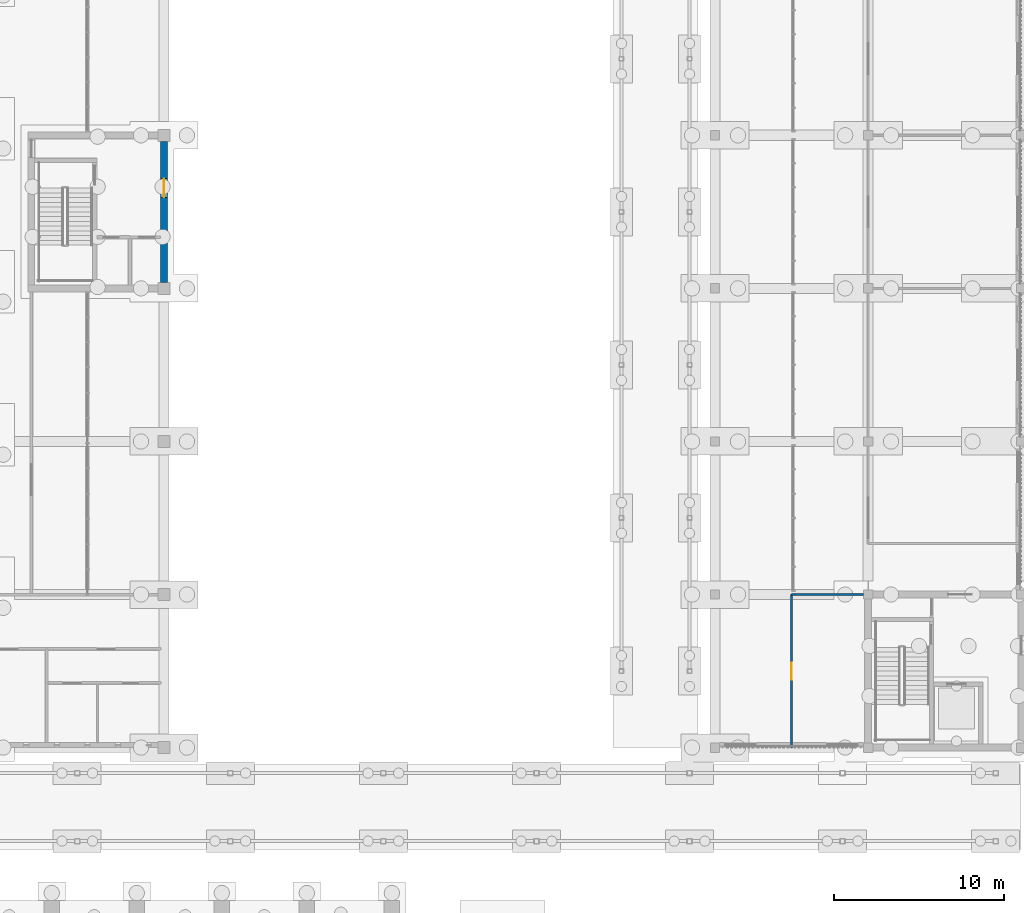
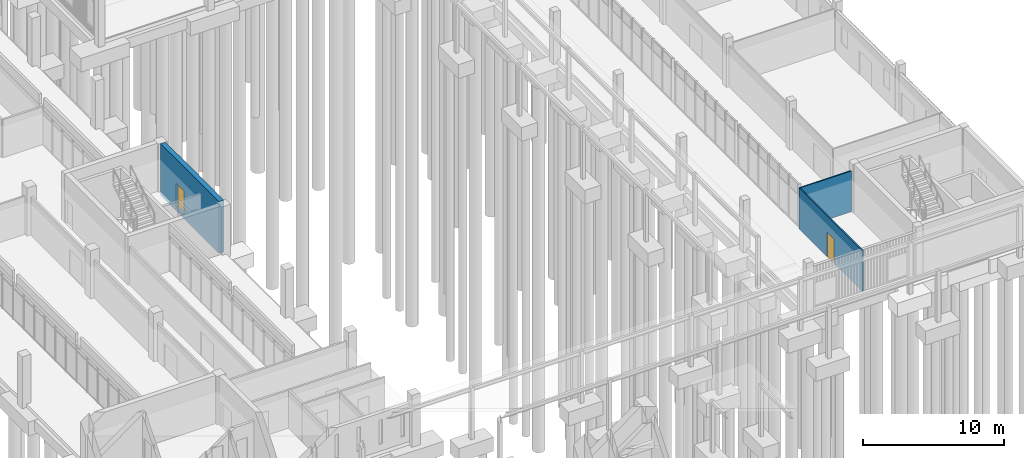
# One storey, part 72 of 106: 3 walls, 2 doors, 2 openings.
"""IFC4 building model written with IfcOpenShell, lengths in metres."""

from ifc_helpers import new_model, si_unit, direction, frame, frame_2d, origin, place, context, subcontext, project, spatial, rectangle, extrude, material, layer, layer_set, type_object, element, fill, save


model = new_model("IFC4")

# Units and contexts
model_context = context("Model", 3, precision=1e-05, world=origin(), true_north=direction((0.0, 1.0)))
body_context = subcontext(model_context, "Body", "Model", "MODEL_VIEW")
ifc_project = project(units=[si_unit("LENGTHUNIT", "METRE"), si_unit("AREAUNIT", "SQUARE_METRE"), si_unit("VOLUMEUNIT", "CUBIC_METRE"), si_unit("PLANEANGLEUNIT", "RADIAN"), si_unit("MASSUNIT", "GRAM", prefix="KILO")], contexts=[model_context])

# Site, building, storey
site_placement = place(None, origin())
site = spatial("IfcSite", under=ifc_project, at=site_placement, CompositionType="ELEMENT")
building_placement = place(site_placement, origin())
building = spatial("IfcBuilding", under=site, at=building_placement, Name="Merrow Basin Faculty of Sciences", CompositionType="ELEMENT")
storey_placement = place(building_placement, origin())
storey = spatial("IfcBuildingStorey", under=building, at=storey_placement, Name="L00", CompositionType="ELEMENT", Elevation=0.0)

# Wall, opening, door
ifc_material_1 = material(Name="Gypsum board")
ifc_layer_1 = layer(ifc_material_1, 0.10009765625)
ifc_layer_set_1 = layer_set([ifc_layer_1], Name="Partition 100 gypsum board on steel studs")
wall_type_1 = type_object("IfcWallType", Name="Partition 100 gypsum board on steel studs", PredefinedType="PARTITIONING", material=ifc_layer_set_1)
wall_1_placement = place(storey_placement, frame((58.5, 61.0, 0.0), z_axis=(0.0, 0.0, 1.0), x_axis=(0.0, 1.0, 0.0)))
wall_1 = element("IfcWall", 1, at=wall_1_placement, inside=storey, type_object=wall_type_1, Name="IW100 L00 013", PredefinedType="PARTITIONING", context=body_context, shape_type="SweptSolid", body=[
    extrude(rectangle(XDim=9.0, YDim=0.10009765625, at=frame_2d((4.5, 0.0))), origin(), (0.0, 0.0, 1.0), 3.550048828125),
])
opening_1_placement = place(wall_1_placement, frame((4.0, 0.0, 0.0)))
opening_1 = element("IfcOpeningElement", 2, at=opening_1_placement, cuts=wall_1, Name="Opening D00C018", PredefinedType="OPENING", context=body_context, shape_type="SweptSolid", body=[
    extrude(rectangle(XDim=1.0, YDim=2.10009765625, at=frame_2d((0.5, 1.050048828125))), frame((0.0, 0.06005859375, 0.0), z_axis=(0.0, -1.0, 0.0), x_axis=(1.0, 0.0, 0.0)), (0.0, 0.0, 1.0), 0.1201171875),
])
ifc_material_2 = material(Name="Timber door leaf", Category="wood")
door_type_1 = type_object("IfcDoorType", Name="Single swing door 1000 x 2100", OperationType="NOTDEFINED", PredefinedType="DOOR", material=ifc_material_2)
door_1_placement = place(opening_1_placement, origin())
door_1 = element("IfcDoor", 3, at=door_1_placement, inside=storey, type_object=door_type_1, Name="Door D00C018", OperationType="SINGLE_SWING_LEFT", OverallHeight=2.10009765625, OverallWidth=1.0, PredefinedType="DOOR", context=body_context, shape_type="SweptSolid", body=[
    extrude(rectangle(XDim=1.0, YDim=2.10009765625, at=frame_2d((0.5, 1.050048828125))), frame((0.0, 0.02490234375, 0.0), z_axis=(0.0, -1.0, 0.0), x_axis=(1.0, 0.0, 0.0)), (0.0, 0.0, 1.0), 0.050048828125),
])
fill(opening_1, door_1)

# Wall
wall_2_placement = place(storey_placement, frame((58.5, 70.0, 0.0), z_axis=(0.0, 0.0, 1.0), x_axis=(1.0, 0.0, 0.0)))
element("IfcWall", 4, at=wall_2_placement, inside=storey, type_object=wall_type_1, Name="IW100 L00 018", PredefinedType="PARTITIONING", context=body_context, shape_type="SweptSolid", body=[
    extrude(rectangle(XDim=4.22509765625, YDim=0.10009765625, at=frame_2d((2.112548828125, 0.0))), origin(), (0.0, 0.0, 1.0), 3.550048828125),
])

# Wall, opening, door
ifc_material_3 = material(Name="Concrete C40/50", Category="concrete")
ifc_layer_2 = layer(ifc_material_3, 0.39990234375)
ifc_layer_set_2 = layer_set([ifc_layer_2], Name="Shear wall 400 Concrete C40/50")
wall_type_2 = type_object("IfcWallType", Name="Shear wall 400 Concrete C40/50", PredefinedType="SHEAR", material=ifc_layer_set_2)
wall_3_placement = place(storey_placement, frame((21.60009765625, 88.35009765625, -0.300048828125), z_axis=(0.0, 0.0, 1.0), x_axis=(0.0, 1.0, 0.0)))
wall_3 = element("IfcWall", 5, at=wall_3_placement, inside=storey, type_object=wall_type_2, Name="SW1 L00 012", PredefinedType="SHEAR", context=body_context, shape_type="SweptSolid", body=[
    extrude(rectangle(XDim=8.2998046875, YDim=0.39990234375, at=frame_2d((4.14990234375, 0.0))), origin(), (0.0, 0.0, 1.0), 4.5),
])
opening_2_placement = place(wall_3_placement, frame((5.0, 0.0, 0.300048828125)))
opening_2 = element("IfcOpeningElement", 6, at=opening_2_placement, cuts=wall_3, Name="Opening D00B008", PredefinedType="OPENING", context=body_context, shape_type="SweptSolid", body=[
    extrude(rectangle(XDim=1.10009765625, YDim=2.10009765625, at=frame_2d((0.550048828125, 1.050048828125))), frame((0.0, 0.2099609375, 0.0), z_axis=(0.0, -1.0, 0.0), x_axis=(1.0, 0.0, 0.0)), (0.0, 0.0, 1.0), 0.419921875),
])
ifc_material_4 = material(Name="Fire-rated steel door", Category="steel")
door_type_2 = type_object("IfcDoorType", Name="Fire door FD90 1100 x 2100", OperationType="NOTDEFINED", PredefinedType="DOOR", material=ifc_material_4)
door_2_placement = place(opening_2_placement, frame((1.10009765625, 0.0, 0.0), z_axis=(0.0, 0.0, 1.0), x_axis=(-1.0, 0.0, 0.0)))
door_2 = element("IfcDoor", 7, at=door_2_placement, inside=storey, type_object=door_type_2, Name="Door D00B008", OperationType="SINGLE_SWING_LEFT", OverallHeight=2.10009765625, OverallWidth=1.10009765625, PredefinedType="DOOR", context=body_context, shape_type="SweptSolid", body=[
    extrude(rectangle(XDim=1.10009765625, YDim=2.10009765625, at=frame_2d((0.550048828125, 1.050048828125))), frame((0.0, 0.02490234375, 0.0), z_axis=(0.0, -1.0, 0.0), x_axis=(1.0, 0.0, 0.0)), (0.0, 0.0, 1.0), 0.050048828125),
])
fill(opening_2, door_2)

save(model, "model.ifc")
